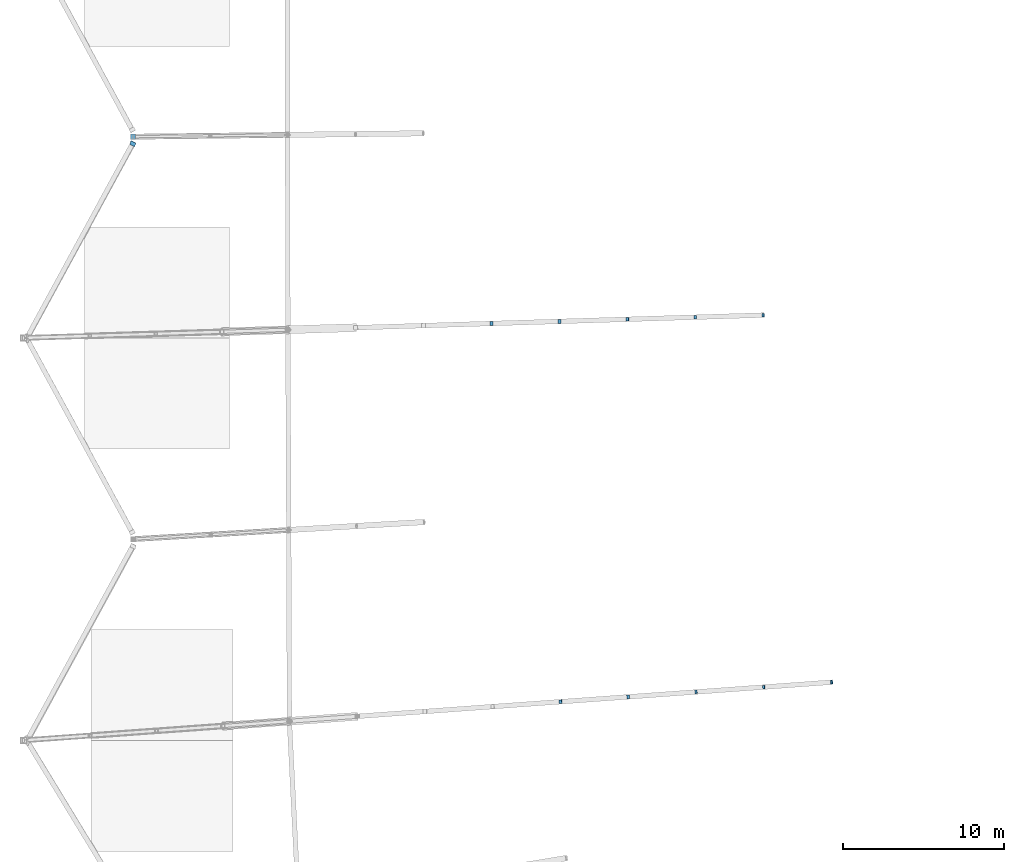
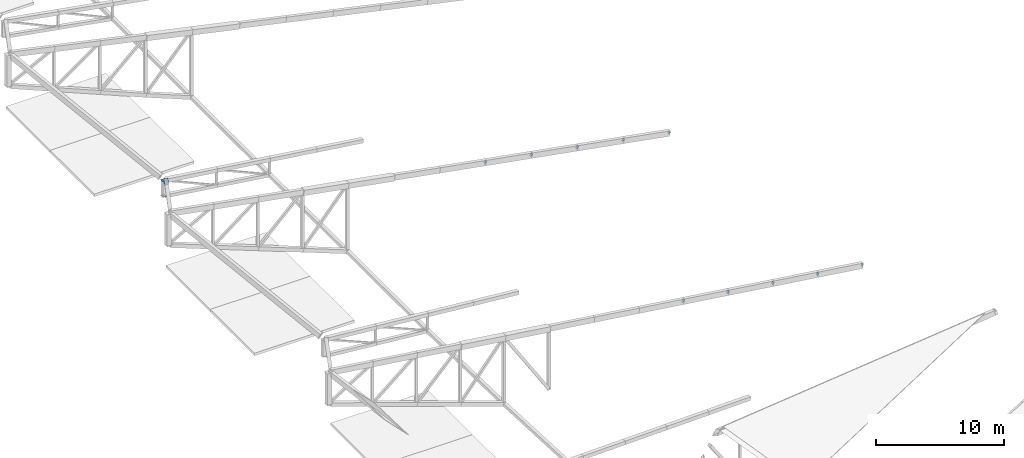
# One storey, part 136 of 188: 13 discrete accessories.
"""IFC4 building model written with IfcOpenShell, lengths in metres."""

from ifc_helpers import new_model, si_unit, direction, frame, origin, origin_2d, place, context, subcontext, project, spatial, rectangle, extrude, material, material_profile, profile_set, type_object, element, save


model = new_model("IFC4")

# Units and contexts
model_context = context("Model", 3, precision=1e-05, world=origin(), true_north=direction((0.0, 1.0)))
body_context = subcontext(model_context, "Body", "Model", "MODEL_VIEW")
ifc_project = project(units=[si_unit("LENGTHUNIT", "METRE"), si_unit("AREAUNIT", "SQUARE_METRE"), si_unit("VOLUMEUNIT", "CUBIC_METRE"), si_unit("PLANEANGLEUNIT", "RADIAN"), si_unit("MASSUNIT", "GRAM", prefix="KILO")], contexts=[model_context])

# Site, building, storey
site_placement = place(None, origin())
site = spatial("IfcSite", under=ifc_project, at=site_placement, CompositionType="ELEMENT")
building_placement = place(site_placement, origin())
building = spatial("IfcBuilding", under=site, at=building_placement, Name="Meseta Stadium", CompositionType="ELEMENT")
storey_placement = place(building_placement, frame((0.0, 0.0, 30.0)))
storey = spatial("IfcBuildingStorey", under=building, at=storey_placement, Name="ROOF", CompositionType="ELEMENT", Elevation=30.0)

# Discrete accessories
ifc_material_1 = material(Name="Steel S355", Category="steel")
ifc_material_profile_1 = material_profile(ifc_material_1, rectangle(XDim=0.219970703125, YDim=0.219970703125, at=origin_2d()), Name="PL 220x220")
ifc_profile_set_1 = profile_set([ifc_material_profile_1], Name="Steel S355")
discrete_accessory_type_1 = type_object("IfcDiscreteAccessoryType", Name="End plate 220x220x20", PredefinedType="ANCHORPLATE", material=ifc_profile_set_1)
for number, where, z_axis, x_axis, name in (
    (1, (-55.437255859375, -17.33251953125, 1.21728515625), (-0.83368147445, -0.024520043366, 0.551700975739), (0.029399051602, -0.999567754464, 0.0), "End plate of ROOF TRUSS RT-34 diagonal"),
    (2, (-59.657470703125, -17.462646484375, 2.06982421875), (-0.781826100826, -0.024432065651, 0.623017674096), (0.031234752378, -0.999512076087, 0.0), "End plate of ROOF TRUSS RT-34 diagonal"),
    (3, (-51.193603515625, -40.13720703125, 0.956298828125), (-0.88538524467, -0.060642824977, 0.460885469828), (0.068333052409, -0.997662565173, 0.0), "End plate of ROOF TRUSS RT-36 diagonal"),
    (4, (-55.405029296875, -40.440185546875, 1.756591796875), (-0.832368835513, -0.061203590847, 0.550832317619), (0.073331443036, -0.99730762529, 0.0), "End plate of ROOF TRUSS RT-36 diagonal"),
    (5, (-59.6162109375, -40.743408203125, 2.556884765625), (-0.791682769845, -0.048718939683, 0.608986746035), (0.061422268918, -0.998111869923, 0.0), "End plate of ROOF TRUSS RT-36 diagonal"),
):
    element("IfcDiscreteAccessory", number, at=place(storey_placement, frame(where, z_axis=z_axis, x_axis=x_axis)), inside=storey, type_object=discrete_accessory_type_1, Name=name, PredefinedType="ANCHORPLATE", context=body_context, shape_type="SweptSolid", body=[
        extrude(rectangle(XDim=0.219970703125, YDim=0.219970703125, at=origin_2d()), origin(), (0.0, 0.0, 1.0), 0.02001953125),
    ])
ifc_material_2 = material(Name="Steel S355", Category="steel")
ifc_material_profile_2 = material_profile(ifc_material_2, rectangle(XDim=0.239990234375, YDim=0.239990234375, at=origin_2d()), Name="PL 240x240")
ifc_profile_set_2 = profile_set([ifc_material_profile_2], Name="Steel S355")
discrete_accessory_type_2 = type_object("IfcDiscreteAccessoryType", Name="End plate 240x240x20", PredefinedType="ANCHORPLATE", material=ifc_profile_set_2)
discrete_accessory_1_placement = place(storey_placement, frame((-63.877685546875, -17.5927734375, 2.922119140625), z_axis=(-0.730838305701, -0.024361276857, 0.682115751988), x_axis=(0.033314830233, -0.999444906979, 0.0)))
element("IfcDiscreteAccessory", 6, at=discrete_accessory_1_placement, inside=storey, type_object=discrete_accessory_type_2, Name="End plate of ROOF TRUSS RT-34 diagonal", PredefinedType="ANCHORPLATE", context=body_context, shape_type="SweptSolid", body=[
    extrude(rectangle(XDim=0.239990234375, YDim=0.239990234375, at=origin_2d()), origin(), (0.0, 0.0, 1.0), 0.02001953125),
])
discrete_accessory_2_placement = place(storey_placement, frame((-68.097900390625, -17.722900390625, 3.774658203125), z_axis=(-0.688218326247, -0.024579225937, 0.725087165153), x_axis=(0.035691530512, -0.999362854348, 0.0)))
element("IfcDiscreteAccessory", 7, at=discrete_accessory_2_placement, inside=storey, type_object=discrete_accessory_type_2, Name="End plate of ROOF TRUSS RT-34 diagonal", PredefinedType="ANCHORPLATE", context=body_context, shape_type="SweptSolid", body=[
    extrude(rectangle(XDim=0.239990234375, YDim=0.239990234375, at=origin_2d()), origin(), (0.0, 0.0, 1.0), 0.019775390625),
])
discrete_accessory_3_placement = place(storey_placement, frame((-72.318115234375, -17.85302734375, 4.626953125), z_axis=(-0.636374333978, -0.024475935922, 0.77099198155), x_axis=(0.038433122101, -0.999261174631, 0.0)))
element("IfcDiscreteAccessory", 8, at=discrete_accessory_3_placement, inside=storey, type_object=discrete_accessory_type_2, Name="End plate of ROOF TRUSS RT-34 diagonal", PredefinedType="ANCHORPLATE", context=body_context, shape_type="SweptSolid", body=[
    extrude(rectangle(XDim=0.239990234375, YDim=0.239990234375, at=origin_2d()), origin(), (0.0, 0.0, 1.0), 0.02001953125),
])
discrete_accessory_4_placement = place(storey_placement, frame((-63.82763671875, -41.04638671875, 3.357177734375), z_axis=(-0.736265600911, -0.049084373394, 0.674910134169), x_axis=(0.066519010524, -0.997785157857, 0.0)))
element("IfcDiscreteAccessory", 9, at=discrete_accessory_4_placement, inside=storey, type_object=discrete_accessory_type_2, Name="End plate of ROOF TRUSS RT-36 diagonal", PredefinedType="ANCHORPLATE", context=body_context, shape_type="SweptSolid", body=[
    extrude(rectangle(XDim=0.239990234375, YDim=0.239990234375, at=origin_2d()), origin(), (0.0, 0.0, 1.0), 0.019775390625),
])
discrete_accessory_5_placement = place(storey_placement, frame((-68.038818359375, -41.349365234375, 4.157470703125), z_axis=(-0.69398756259, -0.048700881585, 0.718338003382), x_axis=(0.070003281481, -0.9975467611, 0.0)))
element("IfcDiscreteAccessory", 10, at=discrete_accessory_5_placement, inside=storey, type_object=discrete_accessory_type_2, Name="End plate of ROOF TRUSS RT-36 diagonal", PredefinedType="ANCHORPLATE", context=body_context, shape_type="SweptSolid", body=[
    extrude(rectangle(XDim=0.239990234375, YDim=0.239990234375, at=origin_2d()), origin(), (0.0, 0.0, 1.0), 0.02001953125),
])
ifc_material_3 = material(Name="Steel S355", Category="steel")
ifc_material_profile_3 = material_profile(ifc_material_3, rectangle(XDim=0.340087890625, YDim=0.340087890625, at=origin_2d()), Name="PL 340x340")
ifc_profile_set_3 = profile_set([ifc_material_profile_3], Name="Steel S355")
discrete_accessory_type_3 = type_object("IfcDiscreteAccessoryType", Name="End plate 340x340x20", PredefinedType="ANCHORPLATE", material=ifc_profile_set_3)
discrete_accessory_6_placement = place(storey_placement, frame((-94.60009765625, -6.25, 2.174072265625), z_axis=(0.0, 0.0, 1.0), x_axis=(1.0, 0.0, 0.0)))
element("IfcDiscreteAccessory", 11, at=discrete_accessory_6_placement, inside=storey, type_object=discrete_accessory_type_3, Name="End plate of ROOF TRUSS RT-33 post", PredefinedType="ANCHORPLATE", context=body_context, shape_type="SweptSolid", body=[
    extrude(rectangle(XDim=0.340087890625, YDim=0.340087890625, at=origin_2d()), origin(), (0.0, 0.0, 1.0), 0.019775390625),
])
discrete_accessory_7_placement = place(storey_placement, frame((-94.60009765625, -6.25, 3.67138671875), z_axis=(0.0, 0.0, 1.0), x_axis=(1.0, 0.0, 0.0)))
element("IfcDiscreteAccessory", 12, at=discrete_accessory_7_placement, inside=storey, type_object=discrete_accessory_type_3, Name="End plate of ROOF TRUSS RT-33 post", PredefinedType="ANCHORPLATE", context=body_context, shape_type="SweptSolid", body=[
    extrude(rectangle(XDim=0.340087890625, YDim=0.340087890625, at=origin_2d()), origin(), (0.0, 0.0, 1.0), 0.02001953125),
])
ifc_material_4 = material(Name="Steel S355", Category="steel")
ifc_material_profile_4 = material_profile(ifc_material_4, rectangle(XDim=0.340087890625, YDim=0.5400390625, at=origin_2d()), Name="PL 340x540")
ifc_profile_set_4 = profile_set([ifc_material_profile_4], Name="Steel S355")
discrete_accessory_type_4 = type_object("IfcDiscreteAccessoryType", Name="End plate 340x540x20", PredefinedType="ANCHORPLATE", material=ifc_profile_set_4)
discrete_accessory_8_placement = place(storey_placement, frame((-94.60400390625, -6.67431640625, 3.787109375), z_axis=(-0.428393042953, -0.795587079771, 0.428393042953), x_axis=(0.89526678838, -0.437922831559, 0.081981529769)))
element("IfcDiscreteAccessory", 13, at=discrete_accessory_8_placement, inside=storey, type_object=discrete_accessory_type_4, Name="End plate of RIM RING BEAM 34", PredefinedType="ANCHORPLATE", context=body_context, shape_type="SweptSolid", body=[
    extrude(rectangle(XDim=0.340087890625, YDim=0.5400390625, at=origin_2d()), origin(), (0.0, 0.0, 1.0), 0.02001953125),
])

save(model, "model.ifc")
